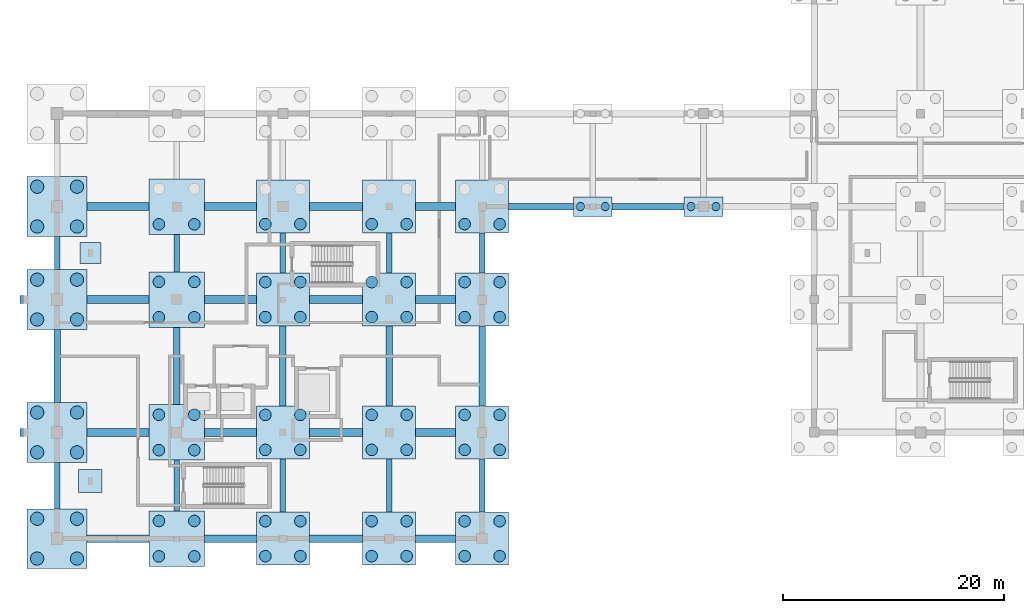
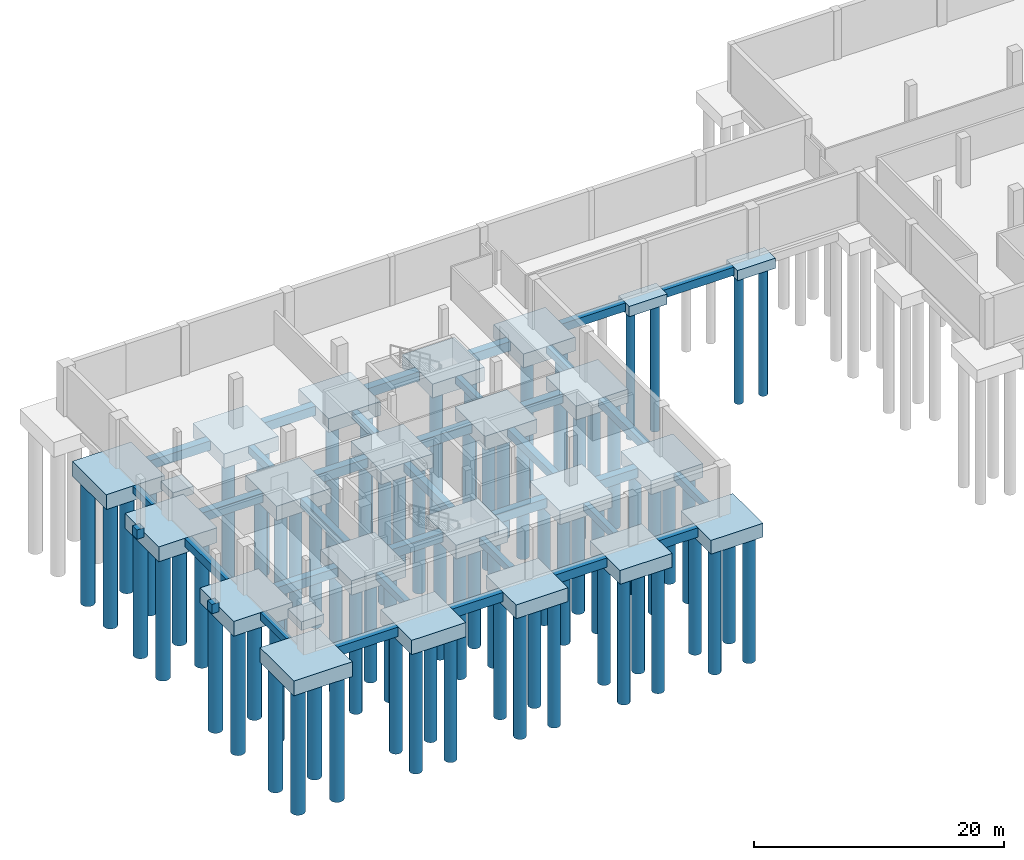
# One storey, part 1 of 28: 76 piles, 59 footings.
"""IFC4 building model written with IfcOpenShell, lengths in metres."""

from ifc_helpers import new_model, si_unit, direction, frame, origin, origin_2d, place, context, subcontext, project, spatial, rectangle, circle, extrude, material, layer, layer_set, material_profile, profile_set, type_object, element, save


model = new_model("IFC4")

# Units and contexts
model_context = context("Model", 3, precision=1e-05, world=origin(), true_north=direction((0.0, 1.0)))
body_context = subcontext(model_context, "Body", "Model", "MODEL_VIEW")
ifc_project = project(units=[si_unit("LENGTHUNIT", "METRE"), si_unit("AREAUNIT", "SQUARE_METRE"), si_unit("VOLUMEUNIT", "CUBIC_METRE"), si_unit("PLANEANGLEUNIT", "RADIAN"), si_unit("MASSUNIT", "GRAM", prefix="KILO")], contexts=[model_context])

# Site, building, storey
site_placement = place(None, origin())
site = spatial("IfcSite", under=ifc_project, at=site_placement, CompositionType="ELEMENT")
building_placement = place(site_placement, origin())
building = spatial("IfcBuilding", under=site, at=building_placement, Name="Zereglee Splitstone Museum", CompositionType="ELEMENT")
storey_placement = place(building_placement, frame((0.0, 0.0, -4.800048828125)))
storey = spatial("IfcBuildingStorey", under=building, at=storey_placement, Name="B1", CompositionType="ELEMENT", Elevation=-4.800048828125)

# Footings
ifc_material = material(Name="Concrete C40/50", Category="concrete")
footing_type_1 = type_object("IfcFootingType", Name="FB-03", PredefinedType="FOOTING_BEAM", material=ifc_material)
footing_1_placement = place(storey_placement, frame((9.60009765625, 4.800048828125, -1.14990234375), z_axis=(0.0, 0.0, 1.0), x_axis=(0.0, 1.0, 0.0)))
element("IfcFooting", 1, at=footing_1_placement, inside=storey, type_object=footing_type_1, Name="Ground Tie Beam FBY-138", PredefinedType="FOOTING_BEAM", context=body_context, shape_type="SweptSolid", body=[
    extrude(rectangle(XDim=4.199951171875, YDim=0.5, at=origin_2d()), origin(), (0.0, 0.0, 1.0), 0.699951171875),
])
footing_2_placement = place(storey_placement, frame((9.60009765625, 25.800048828125, -1.14990234375), z_axis=(0.0, 0.0, 1.0), x_axis=(0.0, 1.0, 0.0)))
element("IfcFooting", 2, at=footing_2_placement, inside=storey, type_object=footing_type_1, Name="Ground Tie Beam FBY-140", PredefinedType="FOOTING_BEAM", context=body_context, shape_type="SweptSolid", body=[
    extrude(rectangle(XDim=3.0, YDim=0.5, at=origin_2d()), origin(), (0.0, 0.0, 1.0), 0.699951171875),
])
footing_3_placement = place(storey_placement, frame((20.39990234375, 4.800048828125, -1.14990234375), z_axis=(0.0, 0.0, 1.0), x_axis=(0.0, 1.0, 0.0)))
element("IfcFooting", 3, at=footing_3_placement, inside=storey, type_object=footing_type_1, Name="Ground Tie Beam FBY-142", PredefinedType="FOOTING_BEAM", context=body_context, shape_type="SweptSolid", body=[
    extrude(rectangle(XDim=4.60009765625, YDim=0.5, at=origin_2d()), origin(), (0.0, 0.0, 1.0), 0.699951171875),
])
footing_4_placement = place(storey_placement, frame((20.39990234375, 25.800048828125, -1.14990234375), z_axis=(0.0, 0.0, 1.0), x_axis=(0.0, 1.0, 0.0)))
element("IfcFooting", 4, at=footing_4_placement, inside=storey, type_object=footing_type_1, Name="Ground Tie Beam FBY-144", PredefinedType="FOOTING_BEAM", context=body_context, shape_type="SweptSolid", body=[
    extrude(rectangle(XDim=3.39990234375, YDim=0.5, at=origin_2d()), origin(), (0.0, 0.0, 1.0), 0.699951171875),
])
footing_5_placement = place(storey_placement, frame((30.0, 4.800048828125, -1.14990234375), z_axis=(0.0, 0.0, 1.0), x_axis=(0.0, 1.0, 0.0)))
element("IfcFooting", 5, at=footing_5_placement, inside=storey, type_object=footing_type_1, Name="Ground Tie Beam FBY-146", PredefinedType="FOOTING_BEAM", context=body_context, shape_type="SweptSolid", body=[
    extrude(rectangle(XDim=4.800048828125, YDim=0.5, at=origin_2d()), origin(), (0.0, 0.0, 1.0), 0.699951171875),
])
footing_6_placement = place(storey_placement, frame((30.0, 25.800048828125, -1.14990234375), z_axis=(0.0, 0.0, 1.0), x_axis=(0.0, 1.0, 0.0)))
element("IfcFooting", 6, at=footing_6_placement, inside=storey, type_object=footing_type_1, Name="Ground Tie Beam FBY-148", PredefinedType="FOOTING_BEAM", context=body_context, shape_type="SweptSolid", body=[
    extrude(rectangle(XDim=3.60009765625, YDim=0.5, at=origin_2d()), origin(), (0.0, 0.0, 1.0), 0.699951171875),
])
footing_7_placement = place(storey_placement, frame((39.60009765625, 4.800048828125, -1.14990234375), z_axis=(0.0, 0.0, 1.0), x_axis=(0.0, 1.0, 0.0)))
element("IfcFooting", 7, at=footing_7_placement, inside=storey, type_object=footing_type_1, Name="Ground Tie Beam FBY-150", PredefinedType="FOOTING_BEAM", context=body_context, shape_type="SweptSolid", body=[
    extrude(rectangle(XDim=4.800048828125, YDim=0.5, at=origin_2d()), origin(), (0.0, 0.0, 1.0), 0.699951171875),
])
footing_8_placement = place(storey_placement, frame((39.60009765625, 25.800048828125, -1.14990234375), z_axis=(0.0, 0.0, 1.0), x_axis=(0.0, 1.0, 0.0)))
element("IfcFooting", 8, at=footing_8_placement, inside=storey, type_object=footing_type_1, Name="Ground Tie Beam FBY-152", PredefinedType="FOOTING_BEAM", context=body_context, shape_type="SweptSolid", body=[
    extrude(rectangle(XDim=3.60009765625, YDim=0.5, at=origin_2d()), origin(), (0.0, 0.0, 1.0), 0.699951171875),
])
footing_9_placement = place(storey_placement, frame((48.0, 4.800048828125, -1.14990234375), z_axis=(0.0, 0.0, 1.0), x_axis=(0.0, 1.0, 0.0)))
element("IfcFooting", 9, at=footing_9_placement, inside=storey, type_object=footing_type_1, Name="Ground Tie Beam FBY-154", PredefinedType="FOOTING_BEAM", context=body_context, shape_type="SweptSolid", body=[
    extrude(rectangle(XDim=4.800048828125, YDim=0.5, at=origin_2d()), origin(), (0.0, 0.0, 1.0), 0.699951171875),
])
footing_10_placement = place(storey_placement, frame((48.0, 25.800048828125, -1.14990234375), z_axis=(0.0, 0.0, 1.0), x_axis=(0.0, 1.0, 0.0)))
element("IfcFooting", 10, at=footing_10_placement, inside=storey, type_object=footing_type_1, Name="Ground Tie Beam FBY-156", PredefinedType="FOOTING_BEAM", context=body_context, shape_type="SweptSolid", body=[
    extrude(rectangle(XDim=3.60009765625, YDim=0.5, at=origin_2d()), origin(), (0.0, 0.0, 1.0), 0.699951171875),
])
footing_type_2 = type_object("IfcFootingType", Name="FB-02", PredefinedType="FOOTING_BEAM", material=ifc_material)
footing_11_placement = place(storey_placement, frame((53.324951171875, 30.0, -1.25), z_axis=(0.0, 0.0, 1.0), x_axis=(1.0, 0.0, 0.0)))
element("IfcFooting", 11, at=footing_11_placement, inside=storey, type_object=footing_type_2, Name="Ground Tie Beam FBX-064", PredefinedType="FOOTING_BEAM", context=body_context, shape_type="SweptSolid", body=[
    extrude(rectangle(XDim=5.85009765625, YDim=0.60009765625, at=origin_2d()), origin(), (0.0, 0.0, 1.0), 0.800048828125),
])
footing_12_placement = place(storey_placement, frame((63.0, 30.0, -1.25), z_axis=(0.0, 0.0, 1.0), x_axis=(1.0, 0.0, 0.0)))
element("IfcFooting", 12, at=footing_12_placement, inside=storey, type_object=footing_type_2, Name="Ground Tie Beam FBX-065", PredefinedType="FOOTING_BEAM", context=body_context, shape_type="SweptSolid", body=[
    extrude(rectangle(XDim=6.5, YDim=0.60009765625, at=origin_2d()), origin(), (0.0, 0.0, 1.0), 0.800048828125),
])
footing_13_placement = place(storey_placement, frame((9.60009765625, 15.60009765625, -1.25), z_axis=(0.0, 0.0, 1.0), x_axis=(0.0, 1.0, 0.0)))
element("IfcFooting", 13, at=footing_13_placement, inside=storey, type_object=footing_type_2, Name="Ground Tie Beam FBY-139", PredefinedType="FOOTING_BEAM", context=body_context, shape_type="SweptSolid", body=[
    extrude(rectangle(XDim=6.60009765625, YDim=0.60009765625, at=origin_2d()), origin(), (0.0, 0.0, 1.0), 0.800048828125),
])
footing_14_placement = place(storey_placement, frame((20.39990234375, 15.60009765625, -1.25), z_axis=(0.0, 0.0, 1.0), x_axis=(0.0, 1.0, 0.0)))
element("IfcFooting", 14, at=footing_14_placement, inside=storey, type_object=footing_type_2, Name="Ground Tie Beam FBY-143", PredefinedType="FOOTING_BEAM", context=body_context, shape_type="SweptSolid", body=[
    extrude(rectangle(XDim=7.0, YDim=0.60009765625, at=origin_2d()), origin(), (0.0, 0.0, 1.0), 0.800048828125),
])
for number, where, z_axis, x_axis, name in (
    (15, (30.0, 15.60009765625, -1.25), (0.0, 0.0, 1.0), (0.0, 1.0, 0.0), "Ground Tie Beam FBY-147"),
    (16, (39.60009765625, 15.60009765625, -1.25), (0.0, 0.0, 1.0), (0.0, 1.0, 0.0), "Ground Tie Beam FBY-151"),
    (17, (48.0, 15.60009765625, -1.25), (0.0, 0.0, 1.0), (0.0, 1.0, 0.0), "Ground Tie Beam FBY-155"),
):
    element("IfcFooting", number, at=place(storey_placement, frame(where, z_axis=z_axis, x_axis=x_axis)), inside=storey, type_object=footing_type_2, Name=name, PredefinedType="FOOTING_BEAM", context=body_context, shape_type="SweptSolid", body=[
        extrude(rectangle(XDim=7.199951171875, YDim=0.60009765625, at=origin_2d()), origin(), (0.0, 0.0, 1.0), 0.800048828125),
    ])
footing_type_3 = type_object("IfcFootingType", Name="FB-01", PredefinedType="FOOTING_BEAM", material=ifc_material)
for number, where, z_axis, x_axis, name in (
    (18, (6.574951171875, 9.60009765625, -0.89990234375), (0.0, 0.0, 1.0), (1.0, 0.0, 0.0), "Guldasta Foundation Cantilever Beam G01"),
    (19, (6.574951171875, 21.60009765625, -0.89990234375), (0.0, 0.0, 1.0), (1.0, 0.0, 0.0), "Guldasta Foundation Cantilever Beam G02"),
):
    element("IfcFooting", number, at=place(storey_placement, frame(where, z_axis=z_axis, x_axis=x_axis)), inside=storey, type_object=footing_type_3, Name=name, PredefinedType="FOOTING_BEAM", context=body_context, shape_type="SweptSolid", body=[
        extrude(rectangle(XDim=0.64990234375, YDim=0.699951171875, at=origin_2d()), origin(), (0.0, 0.0, 1.0), 0.89990234375),
    ])
footing_15_placement = place(storey_placement, frame((15.10009765625, 0.0, -1.349853515625), z_axis=(0.0, 0.0, 1.0), x_axis=(1.0, 0.0, 0.0)))
element("IfcFooting", 20, at=footing_15_placement, inside=storey, type_object=footing_type_3, Name="Ground Tie Beam FBX-001", PredefinedType="FOOTING_BEAM", context=body_context, shape_type="SweptSolid", body=[
    extrude(rectangle(XDim=5.60009765625, YDim=0.699951171875, at=origin_2d()), origin(), (0.0, 0.0, 1.0), 0.89990234375),
])
footing_16_placement = place(storey_placement, frame((25.25, 0.0, -1.349853515625), z_axis=(0.0, 0.0, 1.0), x_axis=(1.0, 0.0, 0.0)))
element("IfcFooting", 21, at=footing_16_placement, inside=storey, type_object=footing_type_3, Name="Ground Tie Beam FBX-002", PredefinedType="FOOTING_BEAM", context=body_context, shape_type="SweptSolid", body=[
    extrude(rectangle(XDim=4.699951171875, YDim=0.699951171875, at=origin_2d()), origin(), (0.0, 0.0, 1.0), 0.89990234375),
])
footing_17_placement = place(storey_placement, frame((34.800048828125, 0.0, -1.349853515625), z_axis=(0.0, 0.0, 1.0), x_axis=(1.0, 0.0, 0.0)))
element("IfcFooting", 22, at=footing_17_placement, inside=storey, type_object=footing_type_3, Name="Ground Tie Beam FBX-003", PredefinedType="FOOTING_BEAM", context=body_context, shape_type="SweptSolid", body=[
    extrude(rectangle(XDim=4.800048828125, YDim=0.699951171875, at=origin_2d()), origin(), (0.0, 0.0, 1.0), 0.89990234375),
])
footing_18_placement = place(storey_placement, frame((43.800048828125, 0.0, -1.349853515625), z_axis=(0.0, 0.0, 1.0), x_axis=(1.0, 0.0, 0.0)))
element("IfcFooting", 23, at=footing_18_placement, inside=storey, type_object=footing_type_3, Name="Ground Tie Beam FBX-004", PredefinedType="FOOTING_BEAM", context=body_context, shape_type="SweptSolid", body=[
    extrude(rectangle(XDim=3.60009765625, YDim=0.699951171875, at=origin_2d()), origin(), (0.0, 0.0, 1.0), 0.89990234375),
])
footing_19_placement = place(storey_placement, frame((15.10009765625, 9.60009765625, -1.349853515625), z_axis=(0.0, 0.0, 1.0), x_axis=(1.0, 0.0, 0.0)))
element("IfcFooting", 24, at=footing_19_placement, inside=storey, type_object=footing_type_3, Name="Ground Tie Beam FBX-015", PredefinedType="FOOTING_BEAM", context=body_context, shape_type="SweptSolid", body=[
    extrude(rectangle(XDim=5.60009765625, YDim=0.699951171875, at=origin_2d()), origin(), (0.0, 0.0, 1.0), 0.89990234375),
])
footing_20_placement = place(storey_placement, frame((25.25, 9.60009765625, -1.349853515625), z_axis=(0.0, 0.0, 1.0), x_axis=(1.0, 0.0, 0.0)))
element("IfcFooting", 25, at=footing_20_placement, inside=storey, type_object=footing_type_3, Name="Ground Tie Beam FBX-016", PredefinedType="FOOTING_BEAM", context=body_context, shape_type="SweptSolid", body=[
    extrude(rectangle(XDim=4.699951171875, YDim=0.699951171875, at=origin_2d()), origin(), (0.0, 0.0, 1.0), 0.89990234375),
])
footing_21_placement = place(storey_placement, frame((34.800048828125, 9.60009765625, -1.349853515625), z_axis=(0.0, 0.0, 1.0), x_axis=(1.0, 0.0, 0.0)))
element("IfcFooting", 26, at=footing_21_placement, inside=storey, type_object=footing_type_3, Name="Ground Tie Beam FBX-017", PredefinedType="FOOTING_BEAM", context=body_context, shape_type="SweptSolid", body=[
    extrude(rectangle(XDim=4.800048828125, YDim=0.699951171875, at=origin_2d()), origin(), (0.0, 0.0, 1.0), 0.89990234375),
])
footing_22_placement = place(storey_placement, frame((43.800048828125, 9.60009765625, -1.349853515625), z_axis=(0.0, 0.0, 1.0), x_axis=(1.0, 0.0, 0.0)))
element("IfcFooting", 27, at=footing_22_placement, inside=storey, type_object=footing_type_3, Name="Ground Tie Beam FBX-018", PredefinedType="FOOTING_BEAM", context=body_context, shape_type="SweptSolid", body=[
    extrude(rectangle(XDim=3.60009765625, YDim=0.699951171875, at=origin_2d()), origin(), (0.0, 0.0, 1.0), 0.89990234375),
])
footing_23_placement = place(storey_placement, frame((15.10009765625, 21.60009765625, -1.349853515625), z_axis=(0.0, 0.0, 1.0), x_axis=(1.0, 0.0, 0.0)))
element("IfcFooting", 28, at=footing_23_placement, inside=storey, type_object=footing_type_3, Name="Ground Tie Beam FBX-036", PredefinedType="FOOTING_BEAM", context=body_context, shape_type="SweptSolid", body=[
    extrude(rectangle(XDim=5.60009765625, YDim=0.699951171875, at=origin_2d()), origin(), (0.0, 0.0, 1.0), 0.89990234375),
])
footing_24_placement = place(storey_placement, frame((25.25, 21.60009765625, -1.349853515625), z_axis=(0.0, 0.0, 1.0), x_axis=(1.0, 0.0, 0.0)))
element("IfcFooting", 29, at=footing_24_placement, inside=storey, type_object=footing_type_3, Name="Ground Tie Beam FBX-037", PredefinedType="FOOTING_BEAM", context=body_context, shape_type="SweptSolid", body=[
    extrude(rectangle(XDim=4.699951171875, YDim=0.699951171875, at=origin_2d()), origin(), (0.0, 0.0, 1.0), 0.89990234375),
])
footing_25_placement = place(storey_placement, frame((34.800048828125, 21.60009765625, -1.349853515625), z_axis=(0.0, 0.0, 1.0), x_axis=(1.0, 0.0, 0.0)))
element("IfcFooting", 30, at=footing_25_placement, inside=storey, type_object=footing_type_3, Name="Ground Tie Beam FBX-038", PredefinedType="FOOTING_BEAM", context=body_context, shape_type="SweptSolid", body=[
    extrude(rectangle(XDim=4.800048828125, YDim=0.699951171875, at=origin_2d()), origin(), (0.0, 0.0, 1.0), 0.89990234375),
])
footing_26_placement = place(storey_placement, frame((43.800048828125, 21.60009765625, -1.349853515625), z_axis=(0.0, 0.0, 1.0), x_axis=(1.0, 0.0, 0.0)))
element("IfcFooting", 31, at=footing_26_placement, inside=storey, type_object=footing_type_3, Name="Ground Tie Beam FBX-039", PredefinedType="FOOTING_BEAM", context=body_context, shape_type="SweptSolid", body=[
    extrude(rectangle(XDim=3.60009765625, YDim=0.699951171875, at=origin_2d()), origin(), (0.0, 0.0, 1.0), 0.89990234375),
])
footing_27_placement = place(storey_placement, frame((15.10009765625, 30.0, -1.349853515625), z_axis=(0.0, 0.0, 1.0), x_axis=(1.0, 0.0, 0.0)))
element("IfcFooting", 32, at=footing_27_placement, inside=storey, type_object=footing_type_3, Name="Ground Tie Beam FBX-060", PredefinedType="FOOTING_BEAM", context=body_context, shape_type="SweptSolid", body=[
    extrude(rectangle(XDim=5.60009765625, YDim=0.699951171875, at=origin_2d()), origin(), (0.0, 0.0, 1.0), 0.89990234375),
])
footing_28_placement = place(storey_placement, frame((25.25, 30.0, -1.349853515625), z_axis=(0.0, 0.0, 1.0), x_axis=(1.0, 0.0, 0.0)))
element("IfcFooting", 33, at=footing_28_placement, inside=storey, type_object=footing_type_3, Name="Ground Tie Beam FBX-061", PredefinedType="FOOTING_BEAM", context=body_context, shape_type="SweptSolid", body=[
    extrude(rectangle(XDim=4.699951171875, YDim=0.699951171875, at=origin_2d()), origin(), (0.0, 0.0, 1.0), 0.89990234375),
])
footing_29_placement = place(storey_placement, frame((34.800048828125, 30.0, -1.349853515625), z_axis=(0.0, 0.0, 1.0), x_axis=(1.0, 0.0, 0.0)))
element("IfcFooting", 34, at=footing_29_placement, inside=storey, type_object=footing_type_3, Name="Ground Tie Beam FBX-062", PredefinedType="FOOTING_BEAM", context=body_context, shape_type="SweptSolid", body=[
    extrude(rectangle(XDim=4.800048828125, YDim=0.699951171875, at=origin_2d()), origin(), (0.0, 0.0, 1.0), 0.89990234375),
])
footing_30_placement = place(storey_placement, frame((43.800048828125, 30.0, -1.349853515625), z_axis=(0.0, 0.0, 1.0), x_axis=(1.0, 0.0, 0.0)))
element("IfcFooting", 35, at=footing_30_placement, inside=storey, type_object=footing_type_3, Name="Ground Tie Beam FBX-063", PredefinedType="FOOTING_BEAM", context=body_context, shape_type="SweptSolid", body=[
    extrude(rectangle(XDim=3.60009765625, YDim=0.699951171875, at=origin_2d()), origin(), (0.0, 0.0, 1.0), 0.89990234375),
])
ifc_layer_1 = layer(ifc_material, 0.75)
ifc_layer_set_1 = layer_set([ifc_layer_1], Name="Concrete C40/50")
footing_type_4 = type_object("IfcFootingType", Name="PF-02", PredefinedType="PAD_FOOTING", material=ifc_layer_set_1)
footing_31_placement = place(storey_placement, frame((12.60009765625, 25.800048828125, -1.199951171875), z_axis=(0.0, 0.0, 1.0), x_axis=(1.0, 0.0, 0.0)))
element("IfcFooting", 36, at=footing_31_placement, inside=storey, type_object=footing_type_4, Name="Interior Portal Pilaster Pad Footing PF2", PredefinedType="PAD_FOOTING", context=body_context, shape_type="SweptSolid", body=[
    extrude(rectangle(XDim=1.89990234375, YDim=1.89990234375, at=origin_2d()), origin(), (0.0, 0.0, 1.0), 0.75),
])
ifc_layer_2 = layer(ifc_material, 0.85009765625)
ifc_layer_set_2 = layer_set([ifc_layer_2], Name="Concrete C40/50")
footing_type_5 = type_object("IfcFootingType", Name="PF-01", PredefinedType="PAD_FOOTING", material=ifc_layer_set_2)
footing_32_placement = place(storey_placement, frame((12.60009765625, 5.199951171875, -1.300048828125), z_axis=(0.0, 0.0, 1.0), x_axis=(1.0, 0.0, 0.0)))
element("IfcFooting", 37, at=footing_32_placement, inside=storey, type_object=footing_type_5, Name="Interior Portal Pilaster Pad Footing PF1", PredefinedType="PAD_FOOTING", context=body_context, shape_type="SweptSolid", body=[
    extrude(rectangle(XDim=2.10009765625, YDim=2.10009765625, at=origin_2d()), origin(), (0.0, 0.0, 1.0), 0.85009765625),
])
ifc_layer_3 = layer(ifc_material, 1.0)
ifc_layer_set_3 = layer_set([ifc_layer_3], Name="Concrete C40/50")
footing_type_6 = type_object("IfcFootingType", Name="PC-08", PredefinedType="PILE_CAP", material=ifc_layer_set_3)
for number, where, z_axis, x_axis, name in (
    (38, (58.0, 30.0, -1.449951171875), (0.0, 0.0, 1.0), (1.0, 0.0, 0.0), "Pile Cap at (58.0, 30.0)"),
    (39, (68.0, 30.0, -1.449951171875), (0.0, 0.0, 1.0), (1.0, 0.0, 0.0), "Pile Cap at (68.0, 30.0)"),
):
    element("IfcFooting", number, at=place(storey_placement, frame(where, z_axis=z_axis, x_axis=x_axis)), inside=storey, type_object=footing_type_6, Name=name, PredefinedType="PILE_CAP", context=body_context, shape_type="SweptSolid", body=[
        extrude(rectangle(XDim=3.5, YDim=1.75, at=origin_2d()), origin(), (0.0, 0.0, 1.0), 1.0),
    ])
ifc_layer_4 = layer(ifc_material, 1.35009765625)
ifc_layer_set_4 = layer_set([ifc_layer_4], Name="Concrete C40/50")
footing_type_7 = type_object("IfcFootingType", Name="PC-03", PredefinedType="PILE_CAP", material=ifc_layer_set_4)
for number, where, z_axis, x_axis, name in (
    (40, (30.0, 0.0, -1.800048828125), (0.0, 0.0, 1.0), (1.0, 0.0, 0.0), "Pile Cap at (30.0, 0.0)"),
    (41, (30.0, 9.60009765625, -1.800048828125), (0.0, 0.0, 1.0), (1.0, 0.0, 0.0), "Pile Cap at (30.0, 9.6)"),
    (42, (30.0, 21.60009765625, -1.800048828125), (0.0, 0.0, 1.0), (1.0, 0.0, 0.0), "Pile Cap at (30.0, 21.6)"),
    (43, (30.0, 30.0, -1.800048828125), (0.0, 0.0, 1.0), (1.0, 0.0, 0.0), "Pile Cap at (30.0, 30.0)"),
    (44, (39.60009765625, 0.0, -1.800048828125), (0.0, 0.0, 1.0), (1.0, 0.0, 0.0), "Pile Cap at (39.6, 0.0)"),
    (45, (39.60009765625, 9.60009765625, -1.800048828125), (0.0, 0.0, 1.0), (1.0, 0.0, 0.0), "Pile Cap at (39.6, 9.6)"),
    (46, (39.60009765625, 21.60009765625, -1.800048828125), (0.0, 0.0, 1.0), (1.0, 0.0, 0.0), "Pile Cap at (39.6, 21.6)"),
    (47, (39.60009765625, 30.0, -1.800048828125), (0.0, 0.0, 1.0), (1.0, 0.0, 0.0), "Pile Cap at (39.6, 30.0)"),
    (48, (48.0, 0.0, -1.800048828125), (0.0, 0.0, 1.0), (1.0, 0.0, 0.0), "Pile Cap at (48.0, 0.0)"),
    (49, (48.0, 9.60009765625, -1.800048828125), (0.0, 0.0, 1.0), (1.0, 0.0, 0.0), "Pile Cap at (48.0, 9.6)"),
    (50, (48.0, 21.60009765625, -1.800048828125), (0.0, 0.0, 1.0), (1.0, 0.0, 0.0), "Pile Cap at (48.0, 21.6)"),
    (51, (48.0, 30.0, -1.800048828125), (0.0, 0.0, 1.0), (1.0, 0.0, 0.0), "Pile Cap at (48.0, 30.0)"),
):
    element("IfcFooting", number, at=place(storey_placement, frame(where, z_axis=z_axis, x_axis=x_axis)), inside=storey, type_object=footing_type_7, Name=name, PredefinedType="PILE_CAP", context=body_context, shape_type="SweptSolid", body=[
        extrude(rectangle(XDim=4.800048828125, YDim=4.800048828125, at=origin_2d()), origin(), (0.0, 0.0, 1.0), 1.35009765625),
    ])
ifc_layer_5 = layer(ifc_material, 1.39990234375)
ifc_layer_set_5 = layer_set([ifc_layer_5], Name="Concrete C40/50")
footing_type_8 = type_object("IfcFootingType", Name="PC-02", PredefinedType="PILE_CAP", material=ifc_layer_set_5)
for number, where, z_axis, x_axis, name in (
    (52, (20.39990234375, 0.0, -1.849853515625), (0.0, 0.0, 1.0), (1.0, 0.0, 0.0), "Pile Cap at (20.4, 0.0)"),
    (53, (20.39990234375, 9.60009765625, -1.849853515625), (0.0, 0.0, 1.0), (1.0, 0.0, 0.0), "Pile Cap at (20.4, 9.6)"),
    (54, (20.39990234375, 21.60009765625, -1.849853515625), (0.0, 0.0, 1.0), (1.0, 0.0, 0.0), "Pile Cap at (20.4, 21.6)"),
    (55, (20.39990234375, 30.0, -1.849853515625), (0.0, 0.0, 1.0), (1.0, 0.0, 0.0), "Pile Cap at (20.4, 30.0)"),
):
    element("IfcFooting", number, at=place(storey_placement, frame(where, z_axis=z_axis, x_axis=x_axis)), inside=storey, type_object=footing_type_8, Name=name, PredefinedType="PILE_CAP", context=body_context, shape_type="SweptSolid", body=[
        extrude(rectangle(XDim=5.0, YDim=5.0, at=origin_2d()), origin(), (0.0, 0.0, 1.0), 1.39990234375),
    ])
ifc_layer_6 = layer(ifc_material, 1.449951171875)
ifc_layer_set_6 = layer_set([ifc_layer_6], Name="Concrete C40/50")
footing_type_9 = type_object("IfcFootingType", Name="PC-01", PredefinedType="PILE_CAP", material=ifc_layer_set_6)
for number, where, z_axis, x_axis, name in (
    (56, (9.60009765625, 0.0, -1.89990234375), (0.0, 0.0, 1.0), (1.0, 0.0, 0.0), "Pile Cap at (9.6, 0.0)"),
    (57, (9.60009765625, 9.60009765625, -1.89990234375), (0.0, 0.0, 1.0), (1.0, 0.0, 0.0), "Pile Cap at (9.6, 9.6)"),
    (58, (9.60009765625, 21.60009765625, -1.89990234375), (0.0, 0.0, 1.0), (1.0, 0.0, 0.0), "Pile Cap at (9.6, 21.6)"),
    (59, (9.60009765625, 30.0, -1.89990234375), (0.0, 0.0, 1.0), (1.0, 0.0, 0.0), "Pile Cap at (9.6, 30.0)"),
):
    element("IfcFooting", number, at=place(storey_placement, frame(where, z_axis=z_axis, x_axis=x_axis)), inside=storey, type_object=footing_type_9, Name=name, PredefinedType="PILE_CAP", context=body_context, shape_type="SweptSolid", body=[
        extrude(rectangle(XDim=5.39990234375, YDim=5.39990234375, at=origin_2d()), origin(), (0.0, 0.0, 1.0), 1.449951171875),
    ])

# Piles
ifc_material_profile_1 = material_profile(ifc_material, circle(Radius=0.52490234375, at=origin_2d()), Name="PILE D1050")
ifc_profile_set_1 = profile_set([ifc_material_profile_1], Name="Concrete C40/50")
pile_type_1 = type_object("IfcPileType", Name="PL-D10", PredefinedType="BORED", material=ifc_profile_set_1)
for number, where, z_axis, x_axis, name in (
    (60, (18.800048828125, -1.60009765625, -1.75), (0.0, 0.0, -1.0), (1.0, 0.0, 0.0), "Bored Pile 204-0-1"),
    (61, (22.0, -1.60009765625, -1.75), (0.0, 0.0, -1.0), (1.0, 0.0, 0.0), "Bored Pile 204-0-2"),
    (62, (18.800048828125, 1.60009765625, -1.75), (0.0, 0.0, -1.0), (1.0, 0.0, 0.0), "Bored Pile 204-0-3"),
    (63, (22.0, 1.60009765625, -1.75), (0.0, 0.0, -1.0), (1.0, 0.0, 0.0), "Bored Pile 204-0-4"),
    (64, (18.800048828125, 8.0, -1.75), (0.0, 0.0, -1.0), (1.0, 0.0, 0.0), "Bored Pile 204-96-1"),
    (65, (22.0, 8.0, -1.75), (0.0, 0.0, -1.0), (1.0, 0.0, 0.0), "Bored Pile 204-96-2"),
    (66, (18.800048828125, 11.199951171875, -1.75), (0.0, 0.0, -1.0), (1.0, 0.0, 0.0), "Bored Pile 204-96-3"),
    (67, (22.0, 11.199951171875, -1.75), (0.0, 0.0, -1.0), (1.0, 0.0, 0.0), "Bored Pile 204-96-4"),
    (68, (18.800048828125, 20.0, -1.75), (0.0, 0.0, -1.0), (1.0, 0.0, 0.0), "Bored Pile 204-216-1"),
    (69, (22.0, 20.0, -1.75), (0.0, 0.0, -1.0), (1.0, 0.0, 0.0), "Bored Pile 204-216-2"),
    (70, (18.800048828125, 23.199951171875, -1.75), (0.0, 0.0, -1.0), (1.0, 0.0, 0.0), "Bored Pile 204-216-3"),
    (71, (22.0, 23.199951171875, -1.75), (0.0, 0.0, -1.0), (1.0, 0.0, 0.0), "Bored Pile 204-216-4"),
    (72, (18.800048828125, 28.39990234375, -1.75), (0.0, 0.0, -1.0), (1.0, 0.0, 0.0), "Bored Pile 204-300-1"),
    (73, (22.0, 28.39990234375, -1.75), (0.0, 0.0, -1.0), (1.0, 0.0, 0.0), "Bored Pile 204-300-2"),
):
    element("IfcPile", number, at=place(storey_placement, frame(where, z_axis=z_axis, x_axis=x_axis)), inside=storey, type_object=pile_type_1, Name=name, PredefinedType="BORED", context=body_context, shape_type="SweptSolid", body=[
        extrude(circle(Radius=0.52490234375, at=origin_2d()), origin(), (0.0, 0.0, 1.0), 12.25),
    ])
for number, where, z_axis, x_axis, name in (
    (74, (28.419921875, -1.580078125, -1.699951171875), (0.0, 0.0, -1.0), (1.0, 0.0, 0.0), "Bored Pile 300-0-1"),
    (75, (31.580078125, -1.580078125, -1.699951171875), (0.0, 0.0, -1.0), (1.0, 0.0, 0.0), "Bored Pile 300-0-2"),
    (76, (28.419921875, 1.580078125, -1.699951171875), (0.0, 0.0, -1.0), (1.0, 0.0, 0.0), "Bored Pile 300-0-3"),
    (77, (31.580078125, 1.580078125, -1.699951171875), (0.0, 0.0, -1.0), (1.0, 0.0, 0.0), "Bored Pile 300-0-4"),
    (78, (28.419921875, 8.02001953125, -1.699951171875), (0.0, 0.0, -1.0), (1.0, 0.0, 0.0), "Bored Pile 300-96-1"),
    (79, (31.580078125, 8.02001953125, -1.699951171875), (0.0, 0.0, -1.0), (1.0, 0.0, 0.0), "Bored Pile 300-96-2"),
    (80, (28.419921875, 11.179931640625, -1.699951171875), (0.0, 0.0, -1.0), (1.0, 0.0, 0.0), "Bored Pile 300-96-3"),
    (81, (31.580078125, 11.179931640625, -1.699951171875), (0.0, 0.0, -1.0), (1.0, 0.0, 0.0), "Bored Pile 300-96-4"),
    (82, (28.419921875, 20.02001953125, -1.699951171875), (0.0, 0.0, -1.0), (1.0, 0.0, 0.0), "Bored Pile 300-216-1"),
    (83, (31.580078125, 20.02001953125, -1.699951171875), (0.0, 0.0, -1.0), (1.0, 0.0, 0.0), "Bored Pile 300-216-2"),
    (84, (28.419921875, 23.179931640625, -1.699951171875), (0.0, 0.0, -1.0), (1.0, 0.0, 0.0), "Bored Pile 300-216-3"),
    (85, (31.580078125, 23.179931640625, -1.699951171875), (0.0, 0.0, -1.0), (1.0, 0.0, 0.0), "Bored Pile 300-216-4"),
    (86, (28.419921875, 28.419921875, -1.699951171875), (0.0, 0.0, -1.0), (1.0, 0.0, 0.0), "Bored Pile 300-300-1"),
    (87, (31.580078125, 28.419921875, -1.699951171875), (0.0, 0.0, -1.0), (1.0, 0.0, 0.0), "Bored Pile 300-300-2"),
    (88, (38.02001953125, -1.580078125, -1.699951171875), (0.0, 0.0, -1.0), (1.0, 0.0, 0.0), "Bored Pile 396-0-1"),
    (89, (41.179931640625, -1.580078125, -1.699951171875), (0.0, 0.0, -1.0), (1.0, 0.0, 0.0), "Bored Pile 396-0-2"),
    (90, (38.02001953125, 1.580078125, -1.699951171875), (0.0, 0.0, -1.0), (1.0, 0.0, 0.0), "Bored Pile 396-0-3"),
    (91, (41.179931640625, 1.580078125, -1.699951171875), (0.0, 0.0, -1.0), (1.0, 0.0, 0.0), "Bored Pile 396-0-4"),
    (92, (38.02001953125, 8.02001953125, -1.699951171875), (0.0, 0.0, -1.0), (1.0, 0.0, 0.0), "Bored Pile 396-96-1"),
    (93, (41.179931640625, 8.02001953125, -1.699951171875), (0.0, 0.0, -1.0), (1.0, 0.0, 0.0), "Bored Pile 396-96-2"),
    (94, (38.02001953125, 11.179931640625, -1.699951171875), (0.0, 0.0, -1.0), (1.0, 0.0, 0.0), "Bored Pile 396-96-3"),
    (95, (41.179931640625, 11.179931640625, -1.699951171875), (0.0, 0.0, -1.0), (1.0, 0.0, 0.0), "Bored Pile 396-96-4"),
    (96, (38.02001953125, 20.02001953125, -1.699951171875), (0.0, 0.0, -1.0), (1.0, 0.0, 0.0), "Bored Pile 396-216-1"),
    (97, (41.179931640625, 20.02001953125, -1.699951171875), (0.0, 0.0, -1.0), (1.0, 0.0, 0.0), "Bored Pile 396-216-2"),
    (98, (38.02001953125, 23.179931640625, -1.699951171875), (0.0, 0.0, -1.0), (1.0, 0.0, 0.0), "Bored Pile 396-216-3"),
    (99, (41.179931640625, 23.179931640625, -1.699951171875), (0.0, 0.0, -1.0), (1.0, 0.0, 0.0), "Bored Pile 396-216-4"),
    (100, (38.02001953125, 28.419921875, -1.699951171875), (0.0, 0.0, -1.0), (1.0, 0.0, 0.0), "Bored Pile 396-300-1"),
    (101, (41.179931640625, 28.419921875, -1.699951171875), (0.0, 0.0, -1.0), (1.0, 0.0, 0.0), "Bored Pile 396-300-2"),
    (102, (46.419921875, -1.580078125, -1.699951171875), (0.0, 0.0, -1.0), (1.0, 0.0, 0.0), "Bored Pile 480-0-1"),
    (103, (49.580078125, -1.580078125, -1.699951171875), (0.0, 0.0, -1.0), (1.0, 0.0, 0.0), "Bored Pile 480-0-2"),
    (104, (46.419921875, 1.580078125, -1.699951171875), (0.0, 0.0, -1.0), (1.0, 0.0, 0.0), "Bored Pile 480-0-3"),
    (105, (49.580078125, 1.580078125, -1.699951171875), (0.0, 0.0, -1.0), (1.0, 0.0, 0.0), "Bored Pile 480-0-4"),
    (106, (46.419921875, 8.02001953125, -1.699951171875), (0.0, 0.0, -1.0), (1.0, 0.0, 0.0), "Bored Pile 480-96-1"),
    (107, (49.580078125, 8.02001953125, -1.699951171875), (0.0, 0.0, -1.0), (1.0, 0.0, 0.0), "Bored Pile 480-96-2"),
    (108, (46.419921875, 11.179931640625, -1.699951171875), (0.0, 0.0, -1.0), (1.0, 0.0, 0.0), "Bored Pile 480-96-3"),
    (109, (49.580078125, 11.179931640625, -1.699951171875), (0.0, 0.0, -1.0), (1.0, 0.0, 0.0), "Bored Pile 480-96-4"),
    (110, (46.419921875, 20.02001953125, -1.699951171875), (0.0, 0.0, -1.0), (1.0, 0.0, 0.0), "Bored Pile 480-216-1"),
    (111, (49.580078125, 20.02001953125, -1.699951171875), (0.0, 0.0, -1.0), (1.0, 0.0, 0.0), "Bored Pile 480-216-2"),
    (112, (46.419921875, 23.179931640625, -1.699951171875), (0.0, 0.0, -1.0), (1.0, 0.0, 0.0), "Bored Pile 480-216-3"),
    (113, (49.580078125, 23.179931640625, -1.699951171875), (0.0, 0.0, -1.0), (1.0, 0.0, 0.0), "Bored Pile 480-216-4"),
    (114, (46.419921875, 28.419921875, -1.699951171875), (0.0, 0.0, -1.0), (1.0, 0.0, 0.0), "Bored Pile 480-300-1"),
    (115, (49.580078125, 28.419921875, -1.699951171875), (0.0, 0.0, -1.0), (1.0, 0.0, 0.0), "Bored Pile 480-300-2"),
):
    element("IfcPile", number, at=place(storey_placement, frame(where, z_axis=z_axis, x_axis=x_axis)), inside=storey, type_object=pile_type_1, Name=name, PredefinedType="BORED", context=body_context, shape_type="SweptSolid", body=[
        extrude(circle(Radius=0.52490234375, at=origin_2d()), origin(), (0.0, 0.0, 1.0), 12.300048828125),
    ])
ifc_material_profile_2 = material_profile(ifc_material, circle(Radius=0.60009765625, at=origin_2d()), Name="PILE D1200")
ifc_profile_set_2 = profile_set([ifc_material_profile_2], Name="Concrete C40/50")
pile_type_2 = type_object("IfcPileType", Name="PL-D12", PredefinedType="BORED", material=ifc_profile_set_2)
for number, where, z_axis, x_axis, name in (
    (116, (7.800048828125, -1.800048828125, -1.800048828125), (0.0, 0.0, -1.0), (1.0, 0.0, 0.0), "Bored Pile 96-0-1"),
    (117, (11.39990234375, -1.800048828125, -1.800048828125), (0.0, 0.0, -1.0), (1.0, 0.0, 0.0), "Bored Pile 96-0-2"),
    (118, (7.800048828125, 1.800048828125, -1.800048828125), (0.0, 0.0, -1.0), (1.0, 0.0, 0.0), "Bored Pile 96-0-3"),
    (119, (11.39990234375, 1.800048828125, -1.800048828125), (0.0, 0.0, -1.0), (1.0, 0.0, 0.0), "Bored Pile 96-0-4"),
    (120, (7.800048828125, 7.800048828125, -1.800048828125), (0.0, 0.0, -1.0), (1.0, 0.0, 0.0), "Bored Pile 96-96-1"),
    (121, (11.39990234375, 7.800048828125, -1.800048828125), (0.0, 0.0, -1.0), (1.0, 0.0, 0.0), "Bored Pile 96-96-2"),
    (122, (7.800048828125, 11.39990234375, -1.800048828125), (0.0, 0.0, -1.0), (1.0, 0.0, 0.0), "Bored Pile 96-96-3"),
    (123, (11.39990234375, 11.39990234375, -1.800048828125), (0.0, 0.0, -1.0), (1.0, 0.0, 0.0), "Bored Pile 96-96-4"),
    (124, (7.800048828125, 19.800048828125, -1.800048828125), (0.0, 0.0, -1.0), (1.0, 0.0, 0.0), "Bored Pile 96-216-1"),
    (125, (11.39990234375, 19.800048828125, -1.800048828125), (0.0, 0.0, -1.0), (1.0, 0.0, 0.0), "Bored Pile 96-216-2"),
    (126, (7.800048828125, 23.39990234375, -1.800048828125), (0.0, 0.0, -1.0), (1.0, 0.0, 0.0), "Bored Pile 96-216-3"),
    (127, (11.39990234375, 23.39990234375, -1.800048828125), (0.0, 0.0, -1.0), (1.0, 0.0, 0.0), "Bored Pile 96-216-4"),
    (128, (7.800048828125, 28.199951171875, -1.800048828125), (0.0, 0.0, -1.0), (1.0, 0.0, 0.0), "Bored Pile 96-300-1"),
    (129, (11.39990234375, 28.199951171875, -1.800048828125), (0.0, 0.0, -1.0), (1.0, 0.0, 0.0), "Bored Pile 96-300-2"),
    (130, (7.800048828125, 31.800048828125, -1.800048828125), (0.0, 0.0, -1.0), (1.0, 0.0, 0.0), "Bored Pile 96-300-3"),
    (131, (11.39990234375, 31.800048828125, -1.800048828125), (0.0, 0.0, -1.0), (1.0, 0.0, 0.0), "Bored Pile 96-300-4"),
):
    element("IfcPile", number, at=place(storey_placement, frame(where, z_axis=z_axis, x_axis=x_axis)), inside=storey, type_object=pile_type_2, Name=name, PredefinedType="BORED", context=body_context, shape_type="SweptSolid", body=[
        extrude(circle(Radius=0.60009765625, at=origin_2d()), origin(), (0.0, 0.0, 1.0), 12.199951171875),
    ])
ifc_material_profile_3 = material_profile(ifc_material, circle(Radius=0.375, at=origin_2d()), Name="PILE D750")
ifc_profile_set_3 = profile_set([ifc_material_profile_3], Name="Concrete C40/50")
pile_type_3 = type_object("IfcPileType", Name="PL-D07", PredefinedType="BORED", material=ifc_profile_set_3)
for number, where, z_axis, x_axis, name in (
    (132, (56.875, 30.0, -1.349853515625), (0.0, 0.0, -1.0), (1.0, 0.0, 0.0), "Bored Pile 580-300-1"),
    (133, (59.125, 30.0, -1.349853515625), (0.0, 0.0, -1.0), (1.0, 0.0, 0.0), "Bored Pile 580-300-2"),
    (134, (66.875, 30.0, -1.349853515625), (0.0, 0.0, -1.0), (1.0, 0.0, 0.0), "Bored Pile 680-300-1"),
    (135, (69.125, 30.0, -1.349853515625), (0.0, 0.0, -1.0), (1.0, 0.0, 0.0), "Bored Pile 680-300-2"),
):
    element("IfcPile", number, at=place(storey_placement, frame(where, z_axis=z_axis, x_axis=x_axis)), inside=storey, type_object=pile_type_3, Name=name, PredefinedType="BORED", context=body_context, shape_type="SweptSolid", body=[
        extrude(circle(Radius=0.375, at=origin_2d()), origin(), (0.0, 0.0, 1.0), 12.64990234375),
    ])

save(model, "model.ifc")
